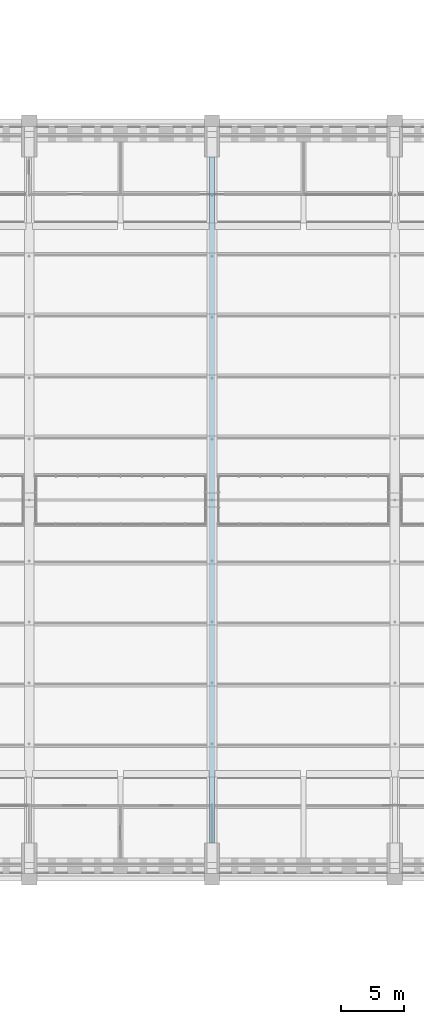
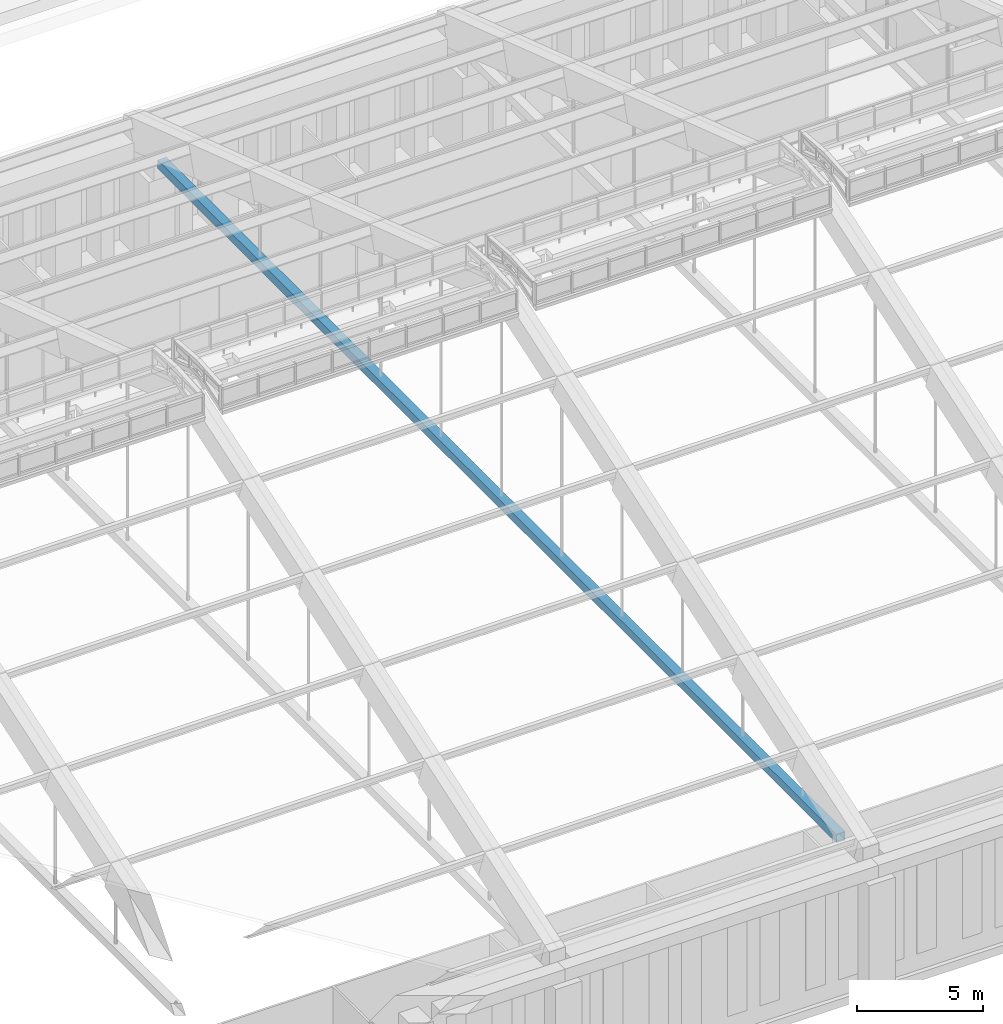
# One storey, part 59 of 149: 1 member.
"""IFC4 building model written with IfcOpenShell, lengths in metres."""

from ifc_helpers import new_model, si_unit, direction, frame, origin, origin_2d, place, context, subcontext, project, spatial, hollow_rectangle, extrude, material, material_profile, profile_set, type_object, element, save


model = new_model("IFC4")

# Units and contexts
model_context = context("Model", 3, precision=1e-05, world=origin(), true_north=direction((0.0, 1.0)))
body_context = subcontext(model_context, "Body", "Model", "MODEL_VIEW")
ifc_project = project(units=[si_unit("LENGTHUNIT", "METRE"), si_unit("AREAUNIT", "SQUARE_METRE"), si_unit("VOLUMEUNIT", "CUBIC_METRE"), si_unit("PLANEANGLEUNIT", "RADIAN"), si_unit("MASSUNIT", "GRAM", prefix="KILO")], contexts=[model_context])

# Site, building, storey
site_placement = place(None, origin())
site = spatial("IfcSite", under=ifc_project, at=site_placement, CompositionType="ELEMENT")
building_placement = place(site_placement, origin())
building = spatial("IfcBuilding", under=site, at=building_placement, Name="Alderwick Market Hall", CompositionType="ELEMENT")
storey_placement = place(building_placement, frame((0.0, 0.0, 9.60009765625)))
storey = spatial("IfcBuildingStorey", under=building, at=storey_placement, Name="L01", CompositionType="ELEMENT", Elevation=9.60009765625)

# Member
ifc_material = material(Name="Steel ASTM A500 Grade C", Category="steel")
ifc_material_profile = material_profile(ifc_material, hollow_rectangle(XDim=0.406494140625, YDim=0.406494140625, WallThickness=0.0146484375, at=origin_2d()), Name="HSS16x16x5/8")
ifc_profile_set = profile_set([ifc_material_profile], Name="Steel ASTM A500 Grade C")
member_type = type_object("IfcMemberType", Name="R Tie HSS16x16x5/8", PredefinedType="USERDEFINED", material=ifc_profile_set)
member_placement = place(storey_placement, frame((108.0, 52.199951171875, 6.14990234375), z_axis=(0.0, 1.0, 0.0), x_axis=(-1.0, 0.0, 0.0)))
element("IfcMember", 1, at=member_placement, inside=storey, type_object=member_type, Name="Arch tie 5", ObjectType="TIE", PredefinedType="USERDEFINED", context=body_context, shape_type="SweptSolid", body=[
    extrude(hollow_rectangle(XDim=0.406494140625, YDim=0.406494140625, WallThickness=0.0146484375, at=origin_2d()), origin(), (0.0, 0.0, 1.0), 54.0),
])

save(model, "model.ifc")
